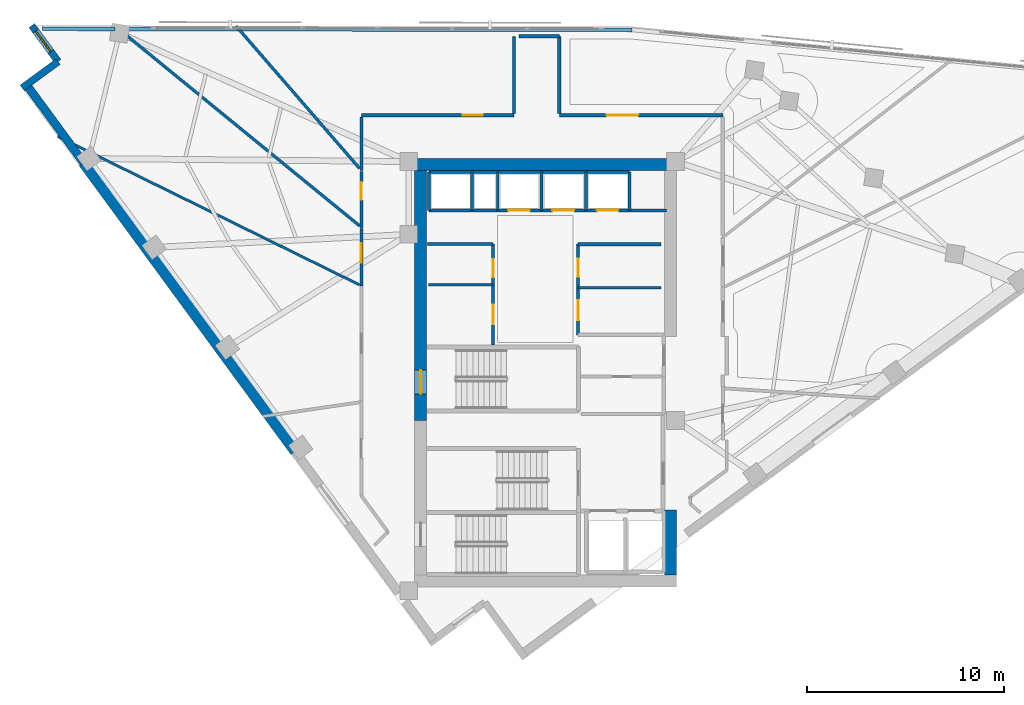
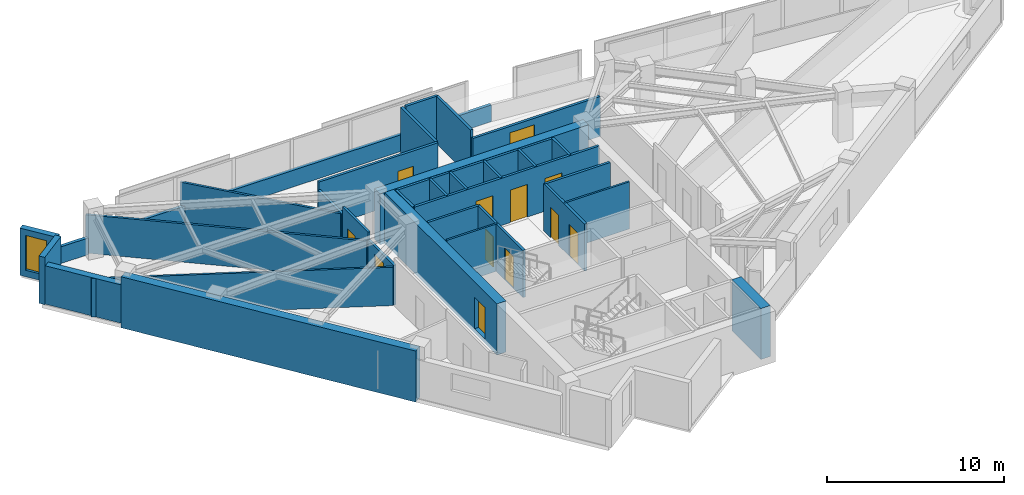
# One storey, part 9 of 13: 35 walls, 12 doors, 1 window, 13 openings.
"""IFC4 building model written with IfcOpenShell, lengths in metres."""

from ifc_helpers import new_model, si_unit, direction, frame, frame_2d, origin, place, context, subcontext, project, spatial, rectangle, extrude, material, layer, layer_set, type_object, element, fill, save


model = new_model("IFC4")

# Units and contexts
model_context = context("Model", 3, precision=1e-05, world=origin(), true_north=direction((0.0, 1.0)))
body_context = subcontext(model_context, "Body", "Model", "MODEL_VIEW")
ifc_project = project(units=[si_unit("LENGTHUNIT", "METRE"), si_unit("AREAUNIT", "SQUARE_METRE"), si_unit("VOLUMEUNIT", "CUBIC_METRE"), si_unit("PLANEANGLEUNIT", "RADIAN"), si_unit("MASSUNIT", "GRAM", prefix="KILO")], contexts=[model_context])

# Site, building, storey
site_placement = place(None, origin())
site = spatial("IfcSite", under=ifc_project, at=site_placement, CompositionType="ELEMENT")
building_placement = place(site_placement, origin())
building = spatial("IfcBuilding", under=site, at=building_placement, Name="Narakoshi Arena Tower", CompositionType="ELEMENT")
storey_placement = place(building_placement, frame((0.0, 0.0, 243.139892578125)))
storey = spatial("IfcBuildingStorey", under=building, at=storey_placement, Name="L66", CompositionType="ELEMENT", Elevation=243.139892578125)

# Wall
ifc_material_1 = material(Name="Concrete C50/60", Category="concrete")
ifc_layer_1 = layer(ifc_material_1, 0.60009765625)
ifc_layer_set_1 = layer_set([ifc_layer_1], Name="Concrete C50/60")
wall_type_1 = type_object("IfcWallType", Name="WL-CORE-600", PredefinedType="SHEAR", material=ifc_layer_set_1)
wall_1_placement = place(storey_placement, frame((85.300048828125, 35.5, -0.260009765625), z_axis=(0.0, 0.0, 1.0), x_axis=(0.0, 1.0, 0.0)))
element("IfcWall", 1, at=wall_1_placement, inside=storey, type_object=wall_type_1, Name="L66 Central Core Shear Wall CW-APX-E", PredefinedType="SHEAR", context=body_context, shape_type="SweptSolid", body=[
    extrude(rectangle(XDim=3.300048828125, YDim=0.60009765625, at=frame_2d((1.64990234375, 0.0))), origin(), (0.0, 0.0, 1.0), 3.52001953125),
])

# Wall, opening, door
wall_2_placement = place(storey_placement, frame((72.60009765625, 43.35009765625, -0.260009765625), z_axis=(0.0, 0.0, 1.0), x_axis=(0.0, 1.0, 0.0)))
wall_2 = element("IfcWall", 2, at=wall_2_placement, inside=storey, type_object=wall_type_1, Name="L66 Main Core Shear Wall CW-MN-W", PredefinedType="SHEAR", context=body_context, shape_type="SweptSolid", body=[
    extrude(rectangle(XDim=12.699951171875, YDim=0.60009765625, at=frame_2d((6.35009765625, 0.0))), origin(), (0.0, 0.0, 1.0), 3.52001953125),
])
opening_1_placement = place(wall_2_placement, frame((1.35009765625, 0.0, 0.260009765625)))
opening_1 = element("IfcOpeningElement", 3, at=opening_1_placement, cuts=wall_2, Name="Opening D-03", PredefinedType="OPENING", context=body_context, shape_type="SweptSolid", body=[
    extrude(rectangle(XDim=1.199951171875, YDim=2.199951171875, at=frame_2d((0.60009765625, 1.10009765625))), frame((0.0, 0.31005859375, 0.0), z_axis=(0.0, -1.0, 0.0), x_axis=(1.0, 0.0, 0.0)), (0.0, 0.0, 1.0), 0.6201171875),
])
ifc_material_2 = material(Name="Painted galvanized steel", Category="steel")
door_type_1 = type_object("IfcDoorType", Name="DR-STR-1200", OperationType="NOTDEFINED", PredefinedType="USERDEFINED", material=ifc_material_2)
door_1_placement = place(opening_1_placement, frame((1.199951171875, 0.0, 0.0), z_axis=(0.0, 0.0, 1.0), x_axis=(-1.0, 0.0, 0.0)))
door_1 = element("IfcDoor", 4, at=door_1_placement, inside=storey, type_object=door_type_1, Name="DR-L66-006", ObjectType="EXITDOOR", OperationType="SINGLE_SWING_LEFT", OverallHeight=2.199951171875, OverallWidth=1.199951171875, PredefinedType="USERDEFINED", context=body_context, shape_type="SweptSolid", body=[
    extrude(rectangle(XDim=1.199951171875, YDim=2.199951171875, at=frame_2d((0.60009765625, 1.10009765625))), frame((0.0, 0.02490234375, 0.0), z_axis=(0.0, -1.0, 0.0), x_axis=(1.0, 0.0, 0.0)), (0.0, 0.0, 1.0), 0.050048828125),
])
fill(opening_1, door_1)

# Wall
wall_3_placement = place(storey_placement, frame((72.0, 56.35009765625, -0.260009765625), z_axis=(0.0, 0.0, 1.0), x_axis=(1.0, 0.0, 0.0)))
element("IfcWall", 5, at=wall_3_placement, inside=storey, type_object=wall_type_1, Name="L66 Main Core Shear Wall CW-MN-N", PredefinedType="SHEAR", context=body_context, shape_type="SweptSolid", body=[
    extrude(rectangle(XDim=13.60009765625, YDim=0.60009765625, at=frame_2d((6.800048828125, 0.0))), origin(), (0.0, 0.0, 1.0), 3.52001953125),
])

# Wall, opening, door
ifc_material_3 = material(Name="Gypsum plasterboard fire-rated partition")
ifc_layer_2 = layer(ifc_material_3, 0.1650390625)
ifc_layer_set_2 = layer_set([ifc_layer_2], Name="Gypsum plasterboard fire-rated partition")
wall_type_2 = type_object("IfcWallType", Name="WL-CORR-165", PredefinedType="PARTITIONING", material=ifc_layer_set_2)
wall_4_placement = place(storey_placement, frame((87.955322265625, 58.85546875, 0.0), z_axis=(0.0, 0.0, 1.0), x_axis=(-1.0, 0.0, 0.0)))
wall_4 = element("IfcWall", 6, at=wall_4_placement, inside=storey, type_object=wall_type_2, Name="L66 Corridor Partition 05-1", PredefinedType="PARTITIONING", context=body_context, shape_type="SweptSolid", body=[
    extrude(rectangle(XDim=8.305419921875, YDim=0.1650390625, at=frame_2d((4.15283203125, 0.0))), origin(), (0.0, 0.0, 1.0), 2.7451171875),
])
opening_2_placement = place(wall_4_placement, frame((4.298583984375, 0.0, 0.0)))
opening_2 = element("IfcOpeningElement", 7, at=opening_2_placement, cuts=wall_4, Name="Opening D-05", PredefinedType="OPENING", context=body_context, shape_type="SweptSolid", body=[
    extrude(rectangle(XDim=1.60009765625, YDim=2.300048828125, at=frame_2d((0.800048828125, 1.14990234375))), frame((0.0, 0.092529296875, 0.0), z_axis=(0.0, -1.0, 0.0), x_axis=(1.0, 0.0, 0.0)), (0.0, 0.0, 1.0), 0.18505859375),
])
ifc_material_4 = material(Name="Stained oak solid-core timber", Category="wood")
door_type_2 = type_object("IfcDoorType", Name="DR-STE-1600", OperationType="DOUBLE_DOOR_SINGLE_SWING", PredefinedType="DOOR", material=ifc_material_4)
door_2_placement = place(opening_2_placement, frame((1.60009765625, 0.0, 0.0), z_axis=(0.0, 0.0, 1.0), x_axis=(-1.0, 0.0, 0.0)))
door_2 = element("IfcDoor", 8, at=door_2_placement, inside=storey, type_object=door_type_2, Name="DR-L66-020", OperationType="DOUBLE_DOOR_SINGLE_SWING", OverallHeight=2.300048828125, OverallWidth=1.60009765625, PredefinedType="DOOR", context=body_context, shape_type="SweptSolid", body=[
    extrude(rectangle(XDim=1.60009765625, YDim=2.300048828125, at=frame_2d((0.800048828125, 1.14990234375))), frame((0.0, 0.02490234375, 0.0), z_axis=(0.0, -1.0, 0.0), x_axis=(1.0, 0.0, 0.0)), (0.0, 0.0, 1.0), 0.050048828125),
])
fill(opening_2, door_2)

# Walls
wall_5_placement = place(storey_placement, frame((79.64990234375, 58.949951171875, 0.0), z_axis=(0.0, 0.0, 1.0), x_axis=(0.0, 1.0, 0.0)))
element("IfcWall", 9, at=wall_5_placement, inside=storey, type_object=wall_type_2, Name="L66 Corridor Partition 05-3", PredefinedType="PARTITIONING", context=body_context, shape_type="SweptSolid", body=[
    extrude(rectangle(XDim=3.91015625, YDim=0.1650390625, at=frame_2d((1.955078125, 0.0))), origin(), (0.0, 0.0, 1.0), 3.260009765625),
])
wall_6_placement = place(storey_placement, frame((79.64990234375, 62.860107421875, 0.0), z_axis=(0.0, 0.0, 1.0), x_axis=(-0.999998420319, 0.001777458977, 0.0)))
element("IfcWall", 10, at=wall_6_placement, inside=storey, type_object=wall_type_2, Name="L66 Corridor Partition 05-4", PredefinedType="PARTITIONING", context=body_context, shape_type="SweptSolid", body=[
    extrude(rectangle(XDim=2.060302734375, YDim=0.1650390625, at=frame_2d((1.0302734375, 0.0))), origin(), (0.0, 0.0, 1.0), 3.260009765625),
])

# Wall, opening, door
wall_7_placement = place(storey_placement, frame((77.35009765625, 58.85546875, 0.0), z_axis=(0.0, 0.0, 1.0), x_axis=(-1.0, 0.0, 0.0)))
wall_7 = element("IfcWall", 11, at=wall_7_placement, inside=storey, type_object=wall_type_2, Name="L66 Corridor Partition 06-1", PredefinedType="PARTITIONING", context=body_context, shape_type="SweptSolid", body=[
    extrude(rectangle(XDim=7.755615234375, YDim=0.1650390625, at=frame_2d((3.8779296875, 0.0))), origin(), (0.0, 0.0, 1.0), 3.260009765625),
])
opening_3_placement = place(wall_7_placement, frame((1.59814453125, 0.0, 0.0)))
opening_3 = element("IfcOpeningElement", 12, at=opening_3_placement, cuts=wall_7, Name="Opening D-06", PredefinedType="OPENING", context=body_context, shape_type="SweptSolid", body=[
    extrude(rectangle(XDim=1.0, YDim=2.199951171875, at=frame_2d((0.5, 1.10009765625))), frame((0.0, 0.092529296875, 0.0), z_axis=(0.0, -1.0, 0.0), x_axis=(1.0, 0.0, 0.0)), (0.0, 0.0, 1.0), 0.18505859375),
])
door_type_3 = type_object("IfcDoorType", Name="DR-OFF-1000", OperationType="NOTDEFINED", PredefinedType="DOOR", material=ifc_material_4)
door_3_placement = place(opening_3_placement, frame((1.0, 0.0, 0.0), z_axis=(0.0, 0.0, 1.0), x_axis=(-1.0, 0.0, 0.0)))
door_3 = element("IfcDoor", 13, at=door_3_placement, inside=storey, type_object=door_type_3, Name="DR-L66-021", OperationType="SINGLE_SWING_LEFT", OverallHeight=2.199951171875, OverallWidth=1.0, PredefinedType="DOOR", context=body_context, shape_type="SweptSolid", body=[
    extrude(rectangle(XDim=1.0, YDim=2.199951171875, at=frame_2d((0.5, 1.10009765625))), frame((0.0, 0.02490234375, 0.0), z_axis=(0.0, -1.0, 0.0), x_axis=(1.0, 0.0, 0.0)), (0.0, 0.0, 1.0), 0.050048828125),
])
fill(opening_3, door_3)

# Walls
wall_8_placement = place(storey_placement, frame((77.35009765625, 62.8642578125, 0.0), z_axis=(0.0, 0.0, 1.0), x_axis=(0.0, -1.0, 0.0)))
element("IfcWall", 14, at=wall_8_placement, inside=storey, type_object=wall_type_2, Name="L66 Corridor Partition 06-2", PredefinedType="PARTITIONING", context=body_context, shape_type="SweptSolid", body=[
    extrude(rectangle(XDim=3.914306640625, YDim=0.1650390625, at=frame_2d((1.95703125, 0.0))), origin(), (0.0, 0.0, 1.0), 3.260009765625),
])
wall_9_placement = place(storey_placement, frame((69.594482421875, 58.760986328125, 0.0), z_axis=(0.0, 0.0, 1.0), x_axis=(0.0, -1.0, 0.0)))
element("IfcWall", 15, at=wall_9_placement, inside=storey, type_object=wall_type_2, Name="L66 Corridor Partition 06-3", PredefinedType="PARTITIONING", context=body_context, shape_type="SweptSolid", body=[
    extrude(rectangle(XDim=2.7197265625, YDim=0.1650390625, at=frame_2d((1.35986328125, 0.0))), origin(), (0.0, 0.0, 1.0), 2.7451171875),
])

# Wall, opening, door
wall_10_placement = place(storey_placement, frame((69.594482421875, 53.080810546875, 0.0), z_axis=(0.0, 0.0, 1.0), x_axis=(0.0, -1.0, 0.0)))
wall_10 = element("IfcWall", 16, at=wall_10_placement, inside=storey, type_object=wall_type_2, Name="L66 Corridor Partition 08-1", PredefinedType="PARTITIONING", context=body_context, shape_type="SweptSolid", body=[
    extrude(rectangle(XDim=2.8935546875, YDim=0.1650390625, at=frame_2d((1.44677734375, 0.0))), origin(), (0.0, 0.0, 1.0), 2.7451171875),
])
opening_4_placement = place(wall_10_placement, frame((0.72265625, 0.0, 0.0)))
opening_4 = element("IfcOpeningElement", 17, at=opening_4_placement, cuts=wall_10, Name="Opening D-06", PredefinedType="OPENING", context=body_context, shape_type="SweptSolid", body=[
    extrude(rectangle(XDim=1.0, YDim=2.199951171875, at=frame_2d((0.5, 1.10009765625))), frame((0.0, 0.092529296875, 0.0), z_axis=(0.0, -1.0, 0.0), x_axis=(1.0, 0.0, 0.0)), (0.0, 0.0, 1.0), 0.18505859375),
])
door_4_placement = place(opening_4_placement, frame((1.0, 0.0, 0.0), z_axis=(0.0, 0.0, 1.0), x_axis=(-1.0, 0.0, 0.0)))
door_4 = element("IfcDoor", 18, at=door_4_placement, inside=storey, type_object=door_type_3, Name="DR-L66-023", OperationType="SINGLE_SWING_LEFT", OverallHeight=2.199951171875, OverallWidth=1.0, PredefinedType="DOOR", context=body_context, shape_type="SweptSolid", body=[
    extrude(rectangle(XDim=1.0, YDim=2.199951171875, at=frame_2d((0.5, 1.10009765625))), frame((0.0, 0.02490234375, 0.0), z_axis=(0.0, -1.0, 0.0), x_axis=(1.0, 0.0, 0.0)), (0.0, 0.0, 1.0), 0.050048828125),
])
fill(opening_4, door_4)

# Walls
ifc_layer_3 = layer(ifc_material_1, 0.550048828125)
ifc_layer_set_3 = layer_set([ifc_layer_3], Name="Concrete C50/60")
wall_type_3 = type_object("IfcWallType", Name="WL-LEG-550", PredefinedType="SHEAR", material=ifc_layer_set_3)
wall_11_placement = place(storey_placement, frame((55.47509765625, 56.450439453125, -0.260009765625), z_axis=(0.0, 0.0, 1.0), x_axis=(0.591309555876, -0.806444672082, 0.0)))
element("IfcWall", 19, at=wall_11_placement, inside=storey, type_object=wall_type_3, Name="L66 Architectural Concrete Structural Wall LEGB-2", PredefinedType="SHEAR", context=body_context, shape_type="SweptSolid", body=[
    extrude(rectangle(XDim=18.1923828125, YDim=0.550048828125, at=frame_2d((9.09619140625, 0.0))), origin(), (0.0, 0.0, 1.0), 3.52001953125),
])
ifc_material_5 = material(Name="Precast concrete C45/55", Category="concrete")
ifc_layer_4 = layer(ifc_material_5, 0.25)
ifc_layer_set_4 = layer_set([ifc_layer_4], Name="Precast concrete C45/55")
wall_type_4 = type_object("IfcWallType", Name="WL-PARA-250", PredefinedType="PARAPET", material=ifc_layer_set_4)
wall_12_placement = place(storey_placement, frame((83.332275390625, 63.193359375, 0.0), z_axis=(0.0, 0.0, 1.0), x_axis=(-0.999998363757, 0.001809000383, 0.0)))
element("IfcWall", 20, at=wall_12_placement, inside=storey, type_object=wall_type_4, Name="L66 Hypotenuse Sill Upstand Parapet 2-01", PredefinedType="PARAPET", context=body_context, shape_type="SweptSolid", body=[
    extrude(rectangle(XDim=25.777099609375, YDim=0.199951171875, at=frame_2d((12.888671875, 0.0))), origin(), (0.0, 0.0, 1.0), 1.150146484375),
])
wall_13_placement = place(storey_placement, frame((57.064208984375, 63.240966796875, 0.0), z_axis=(0.0, 0.0, 1.0), x_axis=(-0.999998274159, 0.001857869529, 0.0)))
element("IfcWall", 21, at=wall_13_placement, inside=storey, type_object=wall_type_4, Name="L66 Hypotenuse Sill Upstand Parapet 2-02", PredefinedType="PARAPET", context=body_context, shape_type="SweptSolid", body=[
    extrude(rectangle(XDim=3.679443359375, YDim=0.199951171875, at=frame_2d((1.83984375, 0.0))), origin(), (0.0, 0.0, 1.0), 1.150146484375),
])
ifc_layer_5 = layer(ifc_material_3, 0.125)
ifc_layer_set_5 = layer_set([ifc_layer_5], Name="Gypsum plasterboard fire-rated partition")
wall_type_5 = type_object("IfcWallType", Name="WL-PART-125", PredefinedType="PARTITIONING", material=ifc_layer_set_5)
wall_14_placement = place(storey_placement, frame((73.0, 50.25, 0.0), z_axis=(0.0, 0.0, 1.0), x_axis=(1.0, 0.0, 0.0)))
element("IfcWall", 22, at=wall_14_placement, inside=storey, type_object=wall_type_5, Name="L66 Core Wall RCL-LR-D2", PredefinedType="PARTITIONING", context=body_context, shape_type="SweptSolid", body=[
    extrude(rectangle(XDim=3.280029296875, YDim=0.125, at=frame_2d((1.64013671875, 0.0))), origin(), (0.0, 0.0, 1.0), 3.260009765625),
])
wall_15_placement = place(storey_placement, frame((80.60009765625, 50.10009765625, 0.0), z_axis=(0.0, 0.0, 1.0), x_axis=(1.0, 0.0, 0.0)))
element("IfcWall", 23, at=wall_15_placement, inside=storey, type_object=wall_type_5, Name="L66 Core Wall RCL-MR-D", PredefinedType="PARTITIONING", context=body_context, shape_type="SweptSolid", body=[
    extrude(rectangle(XDim=4.219970703125, YDim=0.125, at=frame_2d((2.10986328125, 0.0))), origin(), (0.0, 0.0, 1.0), 3.260009765625),
])
wall_16_placement = place(storey_placement, frame((69.5, 50.23388671875, 0.0), z_axis=(0.0, 0.0, 1.0), x_axis=(-0.897284327813, 0.441453094972, 0.0)))
element("IfcWall", 24, at=wall_16_placement, inside=storey, type_object=wall_type_5, Name="L66 Inter-Room Partition 08-09", PredefinedType="PARTITIONING", context=body_context, shape_type="SweptSolid", body=[
    extrude(rectangle(XDim=17.098876953125, YDim=0.125, at=frame_2d((8.54931640625, 0.0))), origin(), (0.0, 0.0, 1.0), 2.64501953125),
])
ifc_layer_6 = layer(ifc_material_5, 0.419921875)
ifc_layer_set_6 = layer_set([ifc_layer_6], Name="Precast concrete C45/55")
wall_type_6 = type_object("IfcWallType", Name="WL-POD-420", PredefinedType="SOLIDWALL", material=ifc_layer_set_6)
wall_17_placement = place(storey_placement, frame((52.578857421875, 60.400390625, 0.0), z_axis=(0.0, 0.0, 1.0), x_axis=(0.591311800505, -0.806443026248, 0.0)))
element("IfcWall", 25, at=wall_17_placement, inside=storey, type_object=wall_type_6, Name="L66 Architectural Concrete Facade Wall LEGB-1", PredefinedType="SOLIDWALL", context=body_context, shape_type="SweptSolid", body=[
    extrude(rectangle(XDim=4.89794921875, YDim=0.419921875, at=frame_2d((2.448974609375, 0.0))), origin(), (0.0, 0.0, 1.0), 2.64501953125),
])

# Wall, opening, window
wall_18_placement = place(storey_placement, frame((52.84521484375, 63.40869140625, 0.0), z_axis=(0.0, 0.0, 1.0), x_axis=(0.591251685745, -0.806487101015, 0.0)))
wall_18 = element("IfcWall", 26, at=wall_18_placement, inside=storey, type_object=wall_type_6, Name="L66 Re-Entrant Corner Notch Wall NTN-1", PredefinedType="SOLIDWALL", context=body_context, shape_type="SweptSolid", body=[
    extrude(rectangle(XDim=2.2685546875, YDim=0.360107421875, at=frame_2d((1.13427734375, 0.0))), origin(), (0.0, 0.0, 1.0), 3.260009765625),
])
opening_5_placement = place(wall_18_placement, frame((0.340087890625, 0.0, 0.449951171875)))
opening_5 = element("IfcOpeningElement", 27, at=opening_5_placement, cuts=wall_18, Name="Opening WN-06", PredefinedType="OPENING", context=body_context, shape_type="SweptSolid", body=[
    extrude(rectangle(XDim=1.300048828125, YDim=2.39990234375, at=frame_2d((0.64990234375, 1.199951171875))), frame((0.0, 0.18994140625, 0.0), z_axis=(0.0, -1.0, 0.0), x_axis=(1.0, 0.0, 0.0)), (0.0, 0.0, 1.0), 0.380126953125),
])
ifc_material_6 = material(Name="Bronze-tinted low-E laminated glass", Category="glass")
window_type = type_object("IfcWindowType", Name="WIN-NTC-16x24", PartitioningType="SINGLE_PANEL", PredefinedType="WINDOW", material=ifc_material_6)
window_placement = place(opening_5_placement, origin())
window = element("IfcWindow", 28, at=window_placement, inside=storey, type_object=window_type, Name="L66 Corner Notch Window NTN", OverallHeight=2.39990234375, OverallWidth=1.300048828125, PartitioningType="SINGLE_PANEL", PredefinedType="WINDOW", context=body_context, shape_type="SweptSolid", body=[
    extrude(rectangle(XDim=1.300048828125, YDim=2.39990234375, at=frame_2d((0.64990234375, 1.199951171875))), frame((0.0, 0.030029296875, 0.0), z_axis=(0.0, -1.0, 0.0), x_axis=(1.0, 0.0, 0.0)), (0.0, 0.0, 1.0), 0.06005859375),
])
fill(opening_5, window)

# Walls
wall_19_placement = place(storey_placement, frame((54.1865234375, 61.5791015625, 0.0), z_axis=(0.0, 0.0, 1.0), x_axis=(-0.806449475274, -0.591303005092, 0.0)))
element("IfcWall", 29, at=wall_19_placement, inside=storey, type_object=wall_type_6, Name="L66 Re-Entrant Corner Notch Wall NTN-2", PredefinedType="SOLIDWALL", context=body_context, shape_type="SweptSolid", body=[
    extrude(rectangle(XDim=2.268310546875, YDim=0.360107421875, at=frame_2d((1.13427734375, 0.0))), origin(), (0.0, 0.0, 1.0), 3.260009765625),
])
ifc_material_7 = material(Name="Concrete C40/50", Category="concrete")
ifc_layer_7 = layer(ifc_material_7, 0.280029296875)
ifc_layer_set_7 = layer_set([ifc_layer_7], Name="Concrete C40/50")
wall_type_7 = type_object("IfcWallType", Name="WL-RISER-280", PredefinedType="PLUMBINGWALL", material=ifc_layer_set_7)
for number, where, z_axis, x_axis, name in (
    (30, (73.02001953125, 54.02001953125, 0.0), (0.0, 0.0, 1.0), (0.0, 1.0, 0.0), "L66 Core Wall OBS-W"),
    (31, (75.219970703125, 54.02001953125, 0.0), (0.0, 0.0, 1.0), (0.0, 1.0, 0.0), "L66 Core Wall OBS-M"),
):
    element("IfcWall", number, at=place(storey_placement, frame(where, z_axis=z_axis, x_axis=x_axis)), inside=storey, type_object=wall_type_7, Name=name, PredefinedType="PLUMBINGWALL", context=body_context, shape_type="SweptSolid", body=[
        extrude(rectangle(XDim=1.93994140625, YDim=0.14990234375, at=frame_2d((0.969970703125, 0.0))), origin(), (0.0, 0.0, 1.0), 3.260009765625),
    ])
for number, where, z_axis, x_axis, name in (
    (32, (78.75, 54.02001953125, 0.0), (0.0, 0.0, 1.0), (0.0, 1.0, 0.0), "L66 Core Wall HR-D1"),
    (33, (81.0, 54.02001953125, 0.0), (0.0, 0.0, 1.0), (0.0, 1.0, 0.0), "L66 Core Wall HR-D2"),
):
    element("IfcWall", number, at=place(storey_placement, frame(where, z_axis=z_axis, x_axis=x_axis)), inside=storey, type_object=wall_type_7, Name=name, PredefinedType="PLUMBINGWALL", context=body_context, shape_type="SweptSolid", body=[
        extrude(rectangle(XDim=1.9599609375, YDim=0.14990234375, at=frame_2d((0.97998046875, 0.0))), origin(), (0.0, 0.0, 1.0), 3.260009765625),
    ])

# Wall, openings, doors
ifc_layer_8 = layer(ifc_material_1, 0.35009765625)
ifc_layer_set_8 = layer_set([ifc_layer_8], Name="Concrete C50/60")
wall_type_8 = type_object("IfcWallType", Name="WL-SHAFT-350", PredefinedType="SOLIDWALL", material=ifc_layer_set_8)
wall_20_placement = place(storey_placement, frame((76.280029296875, 47.179931640625, 0.0), z_axis=(0.0, 0.0, 1.0), x_axis=(0.0, 1.0, 0.0)))
wall_20 = element("IfcWall", 34, at=wall_20_placement, inside=storey, type_object=wall_type_8, Name="L66 Core Wall LR-E", PredefinedType="SOLIDWALL", context=body_context, shape_type="SweptSolid", body=[
    extrude(rectangle(XDim=5.14013671875, YDim=0.159912109375, at=frame_2d((2.570068359375, 0.0))), origin(), (0.0, 0.0, 1.0), 3.260009765625),
])
opening_6_placement = place(wall_20_placement, frame((1.050048828125, 0.0, 0.0)))
opening_6 = element("IfcOpeningElement", 35, at=opening_6_placement, cuts=wall_20, Name="Opening D-06", PredefinedType="OPENING", context=body_context, shape_type="SweptSolid", body=[
    extrude(rectangle(XDim=1.0, YDim=2.199951171875, at=frame_2d((0.5, 1.10009765625))), frame((0.0, 0.08984375, 0.0), z_axis=(0.0, -1.0, 0.0), x_axis=(1.0, 0.0, 0.0)), (0.0, 0.0, 1.0), 0.179931640625),
])
opening_7_placement = place(wall_20_placement, frame((3.449951171875, 0.0, 0.0)))
opening_7 = element("IfcOpeningElement", 36, at=opening_7_placement, cuts=wall_20, Name="Opening D-08", PredefinedType="OPENING", context=body_context, shape_type="SweptSolid", body=[
    extrude(rectangle(XDim=0.89990234375, YDim=2.10009765625, at=frame_2d((0.449951171875, 1.050048828125))), frame((0.0, 0.08984375, 0.0), z_axis=(0.0, -1.0, 0.0), x_axis=(1.0, 0.0, 0.0)), (0.0, 0.0, 1.0), 0.179931640625),
])
door_5_placement = place(opening_6_placement, frame((1.0, 0.0, 0.0), z_axis=(0.0, 0.0, 1.0), x_axis=(-1.0, 0.0, 0.0)))
door_5 = element("IfcDoor", 37, at=door_5_placement, inside=storey, type_object=door_type_3, Name="DR-L66-009", OperationType="SINGLE_SWING_RIGHT", OverallHeight=2.199951171875, OverallWidth=1.0, PredefinedType="DOOR", context=body_context, shape_type="SweptSolid", body=[
    extrude(rectangle(XDim=1.0, YDim=2.199951171875, at=frame_2d((0.5, 1.10009765625))), frame((0.0, 0.02490234375, 0.0), z_axis=(0.0, -1.0, 0.0), x_axis=(1.0, 0.0, 0.0)), (0.0, 0.0, 1.0), 0.050048828125),
])
fill(opening_6, door_5)
ifc_material_8 = material(Name="Moisture-resistant laminate timber", Category="wood")
door_type_4 = type_object("IfcDoorType", Name="DR-WC-900", OperationType="NOTDEFINED", PredefinedType="DOOR", material=ifc_material_8)
door_6_placement = place(opening_7_placement, frame((0.89990234375, 0.0, 0.0), z_axis=(0.0, 0.0, 1.0), x_axis=(-1.0, 0.0, 0.0)))
door_6 = element("IfcDoor", 38, at=door_6_placement, inside=storey, type_object=door_type_4, Name="DR-L66-010", OperationType="SINGLE_SWING_LEFT", OverallHeight=2.10009765625, OverallWidth=0.89990234375, PredefinedType="DOOR", context=body_context, shape_type="SweptSolid", body=[
    extrude(rectangle(XDim=0.89990234375, YDim=2.10009765625, at=frame_2d((0.449951171875, 1.050048828125))), frame((0.0, 0.02490234375, 0.0), z_axis=(0.0, -1.0, 0.0), x_axis=(1.0, 0.0, 0.0)), (0.0, 0.0, 1.0), 0.050048828125),
])
fill(opening_7, door_6)

# Wall
wall_21_placement = place(storey_placement, frame((72.949951171875, 52.320068359375, 0.0), z_axis=(0.0, 0.0, 1.0), x_axis=(1.0, 0.0, 0.0)))
element("IfcWall", 39, at=wall_21_placement, inside=storey, type_object=wall_type_8, Name="L66 Core Wall LR-N", PredefinedType="SOLIDWALL", context=body_context, shape_type="SweptSolid", body=[
    extrude(rectangle(XDim=3.330078125, YDim=0.14990234375, at=frame_2d((1.6650390625, 0.0))), origin(), (0.0, 0.0, 1.0), 3.260009765625),
])

# Wall, openings, doors
wall_22_placement = place(storey_placement, frame((80.60009765625, 47.699951171875, 0.0), z_axis=(0.0, 0.0, 1.0), x_axis=(0.0, 1.0, 0.0)))
wall_22 = element("IfcWall", 40, at=wall_22_placement, inside=storey, type_object=wall_type_8, Name="L66 Core Wall MR-W", PredefinedType="SOLIDWALL", context=body_context, shape_type="SweptSolid", body=[
    extrude(rectangle(XDim=4.60009765625, YDim=0.159912109375, at=frame_2d((2.300048828125, 0.0))), origin(), (0.0, 0.0, 1.0), 3.260009765625),
])
opening_8_placement = place(wall_22_placement, frame((0.75, 0.0, 0.0)))
opening_8 = element("IfcOpeningElement", 41, at=opening_8_placement, cuts=wall_22, Name="Opening D-06", PredefinedType="OPENING", context=body_context, shape_type="SweptSolid", body=[
    extrude(rectangle(XDim=1.0, YDim=2.199951171875, at=frame_2d((0.5, 1.10009765625))), frame((0.0, 0.08984375, 0.0), z_axis=(0.0, -1.0, 0.0), x_axis=(1.0, 0.0, 0.0)), (0.0, 0.0, 1.0), 0.179931640625),
])
opening_9_placement = place(wall_22_placement, frame((2.949951171875, 0.0, 0.0)))
opening_9 = element("IfcOpeningElement", 42, at=opening_9_placement, cuts=wall_22, Name="Opening D-08", PredefinedType="OPENING", context=body_context, shape_type="SweptSolid", body=[
    extrude(rectangle(XDim=0.89990234375, YDim=2.10009765625, at=frame_2d((0.449951171875, 1.050048828125))), frame((0.0, 0.08984375, 0.0), z_axis=(0.0, -1.0, 0.0), x_axis=(1.0, 0.0, 0.0)), (0.0, 0.0, 1.0), 0.179931640625),
])
door_7_placement = place(opening_8_placement, origin())
door_7 = element("IfcDoor", 43, at=door_7_placement, inside=storey, type_object=door_type_3, Name="DR-L66-011", OperationType="SINGLE_SWING_RIGHT", OverallHeight=2.199951171875, OverallWidth=1.0, PredefinedType="DOOR", context=body_context, shape_type="SweptSolid", body=[
    extrude(rectangle(XDim=1.0, YDim=2.199951171875, at=frame_2d((0.5, 1.10009765625))), frame((0.0, 0.02490234375, 0.0), z_axis=(0.0, -1.0, 0.0), x_axis=(1.0, 0.0, 0.0)), (0.0, 0.0, 1.0), 0.050048828125),
])
fill(opening_8, door_7)
door_8_placement = place(opening_9_placement, origin())
door_8 = element("IfcDoor", 44, at=door_8_placement, inside=storey, type_object=door_type_4, Name="DR-L66-012", OperationType="SINGLE_SWING_LEFT", OverallHeight=2.10009765625, OverallWidth=0.89990234375, PredefinedType="DOOR", context=body_context, shape_type="SweptSolid", body=[
    extrude(rectangle(XDim=0.89990234375, YDim=2.10009765625, at=frame_2d((0.449951171875, 1.050048828125))), frame((0.0, 0.02490234375, 0.0), z_axis=(0.0, -1.0, 0.0), x_axis=(1.0, 0.0, 0.0)), (0.0, 0.0, 1.0), 0.050048828125),
])
fill(opening_9, door_8)

# Wall
wall_23_placement = place(storey_placement, frame((80.60009765625, 52.300048828125, 0.0), z_axis=(0.0, 0.0, 1.0), x_axis=(1.0, 0.0, 0.0)))
element("IfcWall", 45, at=wall_23_placement, inside=storey, type_object=wall_type_8, Name="L66 Core Wall MR-N", PredefinedType="SOLIDWALL", context=body_context, shape_type="SweptSolid", body=[
    extrude(rectangle(XDim=4.219970703125, YDim=0.159912109375, at=frame_2d((2.10986328125, 0.0))), origin(), (0.0, 0.0, 1.0), 3.260009765625),
])

# Wall, openings, doors
wall_24_placement = place(storey_placement, frame((73.02001953125, 54.02001953125, 0.0), z_axis=(0.0, 0.0, 1.0), x_axis=(1.0, 0.0, 0.0)))
wall_24 = element("IfcWall", 46, at=wall_24_placement, inside=storey, type_object=wall_type_8, Name="L66 Core Wall NSHF-S", PredefinedType="SOLIDWALL", context=body_context, shape_type="SweptSolid", body=[
    extrude(rectangle(XDim=12.080078125, YDim=0.159912109375, at=frame_2d((6.0400390625, 0.0))), origin(), (0.0, 0.0, 1.0), 3.260009765625),
])
opening_10_placement = place(wall_24_placement, frame((4.030029296875, 0.0, 0.0)))
opening_10 = element("IfcOpeningElement", 47, at=opening_10_placement, cuts=wall_24, Name="Opening LD-01", PredefinedType="OPENING", context=body_context, shape_type="SweptSolid", body=[
    extrude(rectangle(XDim=1.10009765625, YDim=2.25, at=frame_2d((0.550048828125, 1.125))), frame((0.0, 0.08984375, 0.0), z_axis=(0.0, -1.0, 0.0), x_axis=(1.0, 0.0, 0.0)), (0.0, 0.0, 1.0), 0.179931640625),
])
opening_11_placement = place(wall_24_placement, frame((6.280029296875, 0.0, 0.0)))
opening_11 = element("IfcOpeningElement", 48, at=opening_11_placement, cuts=wall_24, Name="Opening LD-01", PredefinedType="OPENING", context=body_context, shape_type="SweptSolid", body=[
    extrude(rectangle(XDim=1.10009765625, YDim=2.25, at=frame_2d((0.550048828125, 1.125))), frame((0.0, 0.08984375, 0.0), z_axis=(0.0, -1.0, 0.0), x_axis=(1.0, 0.0, 0.0)), (0.0, 0.0, 1.0), 0.179931640625),
])
opening_12_placement = place(wall_24_placement, frame((8.530029296875, 0.0, 0.0)))
opening_12 = element("IfcOpeningElement", 49, at=opening_12_placement, cuts=wall_24, Name="Opening LD-01", PredefinedType="OPENING", context=body_context, shape_type="SweptSolid", body=[
    extrude(rectangle(XDim=1.10009765625, YDim=2.25, at=frame_2d((0.550048828125, 1.125))), frame((0.0, 0.08984375, 0.0), z_axis=(0.0, -1.0, 0.0), x_axis=(1.0, 0.0, 0.0)), (0.0, 0.0, 1.0), 0.179931640625),
])
ifc_material_9 = material(Name="Brushed bronze stainless steel", Category="steel")
door_type_5 = type_object("IfcDoorType", Name="DR-LFT-1100", OperationType="DOUBLE_DOOR_SLIDING", PredefinedType="DOOR", material=ifc_material_9)
door_9_placement = place(opening_10_placement, origin())
door_9 = element("IfcDoor", 50, at=door_9_placement, inside=storey, type_object=door_type_5, Name="DR-L66-013", OperationType="DOUBLE_DOOR_SLIDING", OverallHeight=2.25, OverallWidth=1.10009765625, PredefinedType="DOOR", context=body_context, shape_type="SweptSolid", body=[
    extrude(rectangle(XDim=1.10009765625, YDim=2.25, at=frame_2d((0.550048828125, 1.125))), frame((0.0, 0.02490234375, 0.0), z_axis=(0.0, -1.0, 0.0), x_axis=(1.0, 0.0, 0.0)), (0.0, 0.0, 1.0), 0.050048828125),
])
fill(opening_10, door_9)
door_10_placement = place(opening_11_placement, origin())
door_10 = element("IfcDoor", 51, at=door_10_placement, inside=storey, type_object=door_type_5, Name="DR-L66-014", OperationType="DOUBLE_DOOR_SLIDING", OverallHeight=2.25, OverallWidth=1.10009765625, PredefinedType="DOOR", context=body_context, shape_type="SweptSolid", body=[
    extrude(rectangle(XDim=1.10009765625, YDim=2.25, at=frame_2d((0.550048828125, 1.125))), frame((0.0, 0.02490234375, 0.0), z_axis=(0.0, -1.0, 0.0), x_axis=(1.0, 0.0, 0.0)), (0.0, 0.0, 1.0), 0.050048828125),
])
fill(opening_11, door_10)
door_11_placement = place(opening_12_placement, origin())
door_11 = element("IfcDoor", 52, at=door_11_placement, inside=storey, type_object=door_type_5, Name="DR-L66-015", OperationType="DOUBLE_DOOR_SLIDING", OverallHeight=2.25, OverallWidth=1.10009765625, PredefinedType="DOOR", context=body_context, shape_type="SweptSolid", body=[
    extrude(rectangle(XDim=1.10009765625, YDim=2.25, at=frame_2d((0.550048828125, 1.125))), frame((0.0, 0.02490234375, 0.0), z_axis=(0.0, -1.0, 0.0), x_axis=(1.0, 0.0, 0.0)), (0.0, 0.0, 1.0), 0.050048828125),
])
fill(opening_12, door_11)

# Walls
wall_25_placement = place(storey_placement, frame((73.02001953125, 55.9599609375, 0.0), z_axis=(0.0, 0.0, 1.0), x_axis=(1.0, 0.0, 0.0)))
element("IfcWall", 53, at=wall_25_placement, inside=storey, type_object=wall_type_8, Name="L66 Core Wall OBS-N", PredefinedType="SOLIDWALL", context=body_context, shape_type="SweptSolid", body=[
    extrude(rectangle(XDim=3.5, YDim=0.14990234375, at=frame_2d((1.75, 0.0))), origin(), (0.0, 0.0, 1.0), 3.260009765625),
])
wall_26_placement = place(storey_placement, frame((76.52001953125, 54.02001953125, 0.0), z_axis=(0.0, 0.0, 1.0), x_axis=(0.0, 1.0, 0.0)))
element("IfcWall", 54, at=wall_26_placement, inside=storey, type_object=wall_type_8, Name="L66 Core Wall OBS-E", PredefinedType="SOLIDWALL", context=body_context, shape_type="SweptSolid", body=[
    extrude(rectangle(XDim=1.93994140625, YDim=0.14990234375, at=frame_2d((0.969970703125, 0.0))), origin(), (0.0, 0.0, 1.0), 3.260009765625),
])
wall_27_placement = place(storey_placement, frame((83.219970703125, 54.02001953125, 0.0), z_axis=(0.0, 0.0, 1.0), x_axis=(0.0, 1.0, 0.0)))
element("IfcWall", 55, at=wall_27_placement, inside=storey, type_object=wall_type_8, Name="L66 Core Wall HR-E", PredefinedType="SOLIDWALL", context=body_context, shape_type="SweptSolid", body=[
    extrude(rectangle(XDim=1.9599609375, YDim=0.14990234375, at=frame_2d((0.97998046875, 0.0))), origin(), (0.0, 0.0, 1.0), 3.260009765625),
])
wall_28_placement = place(storey_placement, frame((76.52001953125, 55.9599609375, 0.0), z_axis=(0.0, 0.0, 1.0), x_axis=(1.0, 0.0, 0.0)))
element("IfcWall", 56, at=wall_28_placement, inside=storey, type_object=wall_type_8, Name="L66 Core Wall HR-N", PredefinedType="SOLIDWALL", context=body_context, shape_type="SweptSolid", body=[
    extrude(rectangle(XDim=6.699951171875, YDim=0.14990234375, at=frame_2d((3.35009765625, 0.0))), origin(), (0.0, 0.0, 1.0), 3.260009765625),
])
ifc_material_10 = material(Name="Moisture-resistant cement-board partition")
ifc_layer_9 = layer(ifc_material_10, 0.14501953125)
ifc_layer_set_9 = layer_set([ifc_layer_9], Name="Moisture-resistant cement-board partition")
wall_type_9 = type_object("IfcWallType", Name="WL-WET-145", PredefinedType="PARTITIONING", material=ifc_layer_set_9)
wall_29_placement = place(storey_placement, frame((69.5, 56.150390625, 0.0), z_axis=(0.0, 0.0, 1.0), x_axis=(-0.655072155805, 0.755566324481, 0.0)))
element("IfcWall", 57, at=wall_29_placement, inside=storey, type_object=wall_type_9, Name="L66 Inter-Room Partition 06-07", PredefinedType="PARTITIONING", context=body_context, shape_type="SweptSolid", body=[
    extrude(rectangle(XDim=9.58154296875, YDim=0.14501953125, at=frame_2d((4.790771484375, 0.0))), origin(), (0.0, 0.0, 1.0), 2.7451171875),
])

# Wall, opening, door
wall_30_placement = place(storey_placement, frame((69.594482421875, 56.0048828125, 0.0), z_axis=(0.0, 0.0, 1.0), x_axis=(0.0, -1.0, 0.0)))
wall_30 = element("IfcWall", 58, at=wall_30_placement, inside=storey, type_object=wall_type_9, Name="L66 Corridor Partition 07-1", PredefinedType="PARTITIONING", context=body_context, shape_type="SweptSolid", body=[
    extrude(rectangle(XDim=2.893310546875, YDim=0.14501953125, at=frame_2d((1.44677734375, 0.0))), origin(), (0.0, 0.0, 1.0), 3.260009765625),
])
opening_13_placement = place(wall_30_placement, frame((0.550537109375, 0.0, 0.0)))
opening_13 = element("IfcOpeningElement", 59, at=opening_13_placement, cuts=wall_30, Name="Opening D-08", PredefinedType="OPENING", context=body_context, shape_type="SweptSolid", body=[
    extrude(rectangle(XDim=0.89990234375, YDim=2.10009765625, at=frame_2d((0.449951171875, 1.050048828125))), frame((0.0, 0.08251953125, 0.0), z_axis=(0.0, -1.0, 0.0), x_axis=(1.0, 0.0, 0.0)), (0.0, 0.0, 1.0), 0.1650390625),
])
door_12_placement = place(opening_13_placement, frame((0.89990234375, 0.0, 0.0), z_axis=(0.0, 0.0, 1.0), x_axis=(-1.0, 0.0, 0.0)))
door_12 = element("IfcDoor", 60, at=door_12_placement, inside=storey, type_object=door_type_4, Name="DR-L66-022", OperationType="SINGLE_SWING_RIGHT", OverallHeight=2.10009765625, OverallWidth=0.89990234375, PredefinedType="DOOR", context=body_context, shape_type="SweptSolid", body=[
    extrude(rectangle(XDim=0.89990234375, YDim=2.10009765625, at=frame_2d((0.449951171875, 1.050048828125))), frame((0.0, 0.02490234375, 0.0), z_axis=(0.0, -1.0, 0.0), x_axis=(1.0, 0.0, 0.0)), (0.0, 0.0, 1.0), 0.050048828125),
])
fill(opening_13, door_12)

# Wall
wall_31_placement = place(storey_placement, frame((69.510009765625, 53.22705078125, 0.0), z_axis=(0.0, 0.0, 1.0), x_axis=(-0.77440491792, 0.632690305838, 0.0)))
element("IfcWall", 61, at=wall_31_placement, inside=storey, type_object=wall_type_9, Name="L66 Inter-Room Partition 07-08", PredefinedType="PARTITIONING", context=body_context, shape_type="SweptSolid", body=[
    extrude(rectangle(XDim=16.080322265625, YDim=0.14501953125, at=frame_2d((8.0400390625, 0.0))), origin(), (0.0, 0.0, 1.0), 2.64501953125),
])

save(model, "model.ifc")
